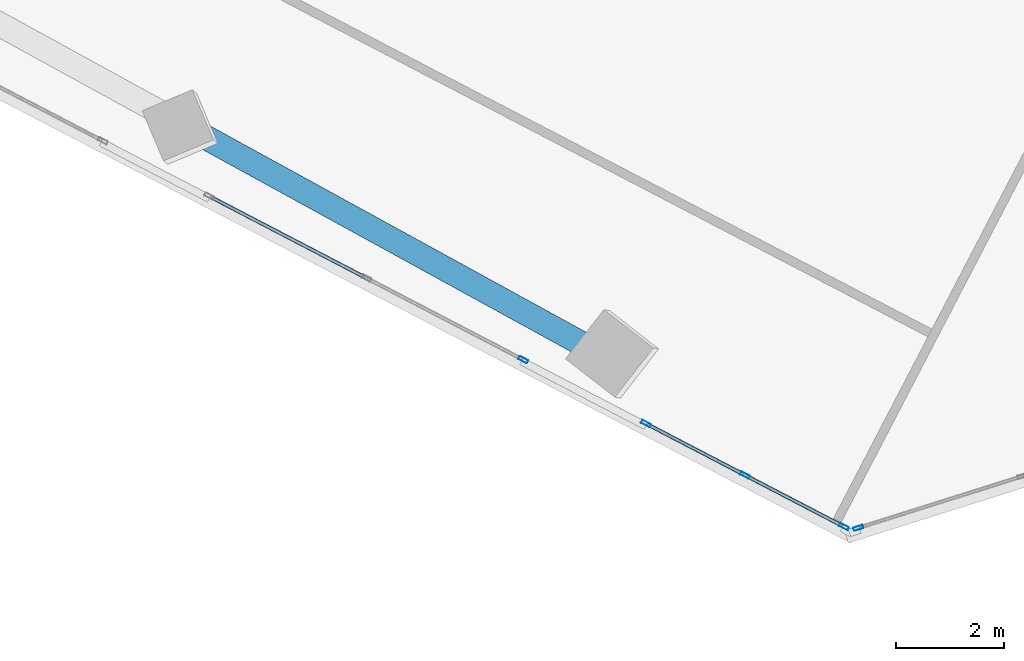
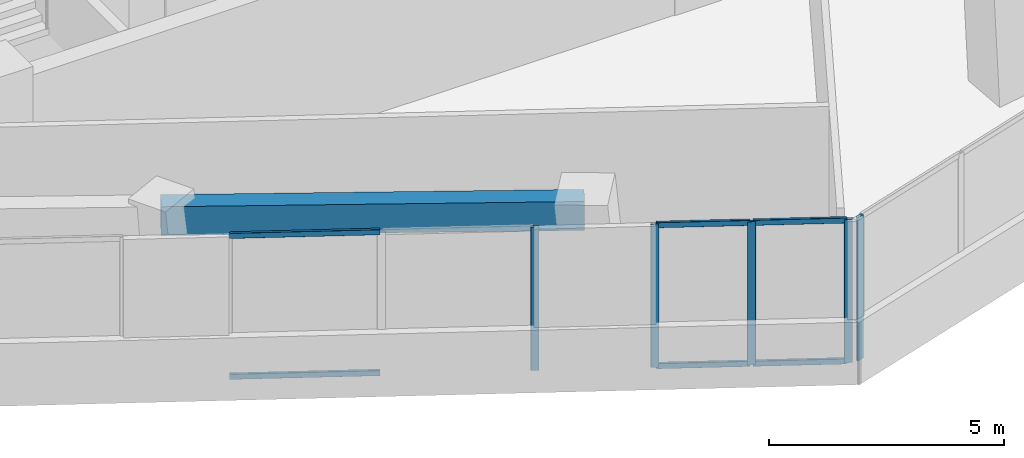
# One storey, part 4 of 22: 11 members, 1 beam, 3 elements without a shape of their own.
"""IFC4 building model written with IfcOpenShell, lengths in metres."""

from ifc_helpers import new_model, si_unit, direction, frame, origin, origin_2d, place, context, subcontext, project, spatial, rectangle, hollow_rectangle, extrude, source, transform, mapped, material, material_profile, profile_set, type_object, element, aggregate, save


model = new_model("IFC4")

# Units and contexts
model_context = context("Model", 3, precision=1e-05, world=origin(), true_north=direction((0.0, 1.0)))
body_context = subcontext(model_context, "Body", "Model", "MODEL_VIEW")
ifc_project = project(units=[si_unit("LENGTHUNIT", "METRE"), si_unit("AREAUNIT", "SQUARE_METRE"), si_unit("VOLUMEUNIT", "CUBIC_METRE"), si_unit("PLANEANGLEUNIT", "RADIAN"), si_unit("MASSUNIT", "GRAM", prefix="KILO")], contexts=[model_context])

# Site, building, storey
site_placement = place(None, origin())
site = spatial("IfcSite", under=ifc_project, at=site_placement, CompositionType="ELEMENT")
building_placement = place(site_placement, origin())
building = spatial("IfcBuilding", under=site, at=building_placement, Name="Torre Montelarca", CompositionType="ELEMENT")
storey_placement = place(building_placement, frame((0.0, 0.0, 170.800048828125)))
storey = spatial("IfcBuildingStorey", under=building, at=storey_placement, Name="L38", CompositionType="ELEMENT", Elevation=170.800048828125)

# Beam
ifc_material_1 = material(Name="Concrete C55/67", Category="concrete")
ifc_material_profile_1 = material_profile(ifc_material_1, rectangle(XDim=0.449951171875, YDim=0.75, at=origin_2d()), Name="RCB450X750", Category="concrete")
ifc_profile_set_1 = profile_set([ifc_material_profile_1], Name="Concrete C55/67")
beam_type = type_object("IfcBeamType", Name="BM-SP-RC750-EXT", PredefinedType="SPANDREL", material=ifc_profile_set_1)
shared_shape_1 = source(origin(), body_context, "Body", "SweptSolid", [
    extrude(rectangle(XDim=0.449951171875, YDim=0.75, at=origin_2d()), origin(), (0.0, 0.0, 1.0), 9.0),
])
beam_placement = place(storey_placement, frame((10.158447265625, 18.603759765625, 3.5849609375), z_axis=(0.876730864436, -0.48098127962, 0.0), x_axis=(0.48098127962, 0.876730864436, 0.0)))
element("IfcBeam", 1, at=beam_placement, inside=storey, type_object=beam_type, Name="L38 Grid Girder X 18.0-27.0 at Y=14.8", PredefinedType="SPANDREL", context=body_context, shape_type="MappedRepresentation", body=[
    mapped(shared_shape_1, transform((0.0, 0.0, 0.0), scale=1.0)),
])

# Curtain wall, member
ifc_material_2 = material(Name="Insulated low-E laminated glass", Category="glass")
curtain_wall_type = type_object("IfcCurtainWallType", Name="CW-SYS-Z2", PredefinedType="USERDEFINED", material=ifc_material_2)
curtain_wall_1_placement = place(storey_placement, origin())
curtain_wall_1 = element("IfcCurtainWall", 2, at=curtain_wall_1_placement, inside=storey, type_object=curtain_wall_type, Name="L38 Curtain Wall Run CW-T3-L38-E01-B2", ObjectType="UNITISED GLAZING", PredefinedType="USERDEFINED")
ifc_material_3 = material(Name="Anodised aluminium AA 6063-T6", Category="aluminium")
ifc_material_profile_2 = material_profile(ifc_material_3, hollow_rectangle(XDim=0.06494140625, YDim=0.179931640625, WallThickness=0.00390625, InnerFilletRadius=0.00390625, OuterFilletRadius=0.008056640625, at=origin_2d()), Name="ALU65X180X4", Category="aluminium")
ifc_profile_set_2 = profile_set([ifc_material_profile_2], Name="Anodised aluminium AA 6063-T6")
member_type_1 = type_object("IfcMemberType", Name="CWM-ALU180", PredefinedType="MULLION", material=ifc_profile_set_2)
shared_shape_2 = source(origin(), body_context, "Body", "SweptSolid", [
    extrude(hollow_rectangle(XDim=0.06494140625, YDim=0.179931640625, WallThickness=0.00390625, InnerFilletRadius=0.00390625, OuterFilletRadius=0.008056640625, at=origin_2d()), origin(), (0.0, 0.0, 1.0), 3.719970703125),
])
member_1_placement = place(storey_placement, frame((16.736083984375, 14.108154296875, 0.0), z_axis=(0.0, 0.0, 1.0), x_axis=(0.461749348455, 0.887010450446, 0.0)))
member_1 = element("IfcMember", 3, at=member_1_placement, type_object=member_type_1, Name="CW mullion 3", PredefinedType="MULLION", context=body_context, shape_type="MappedRepresentation", body=[
    mapped(shared_shape_2, transform((0.0, 0.0, 0.0), scale=1.0)),
])

# Curtain wall, members
curtain_wall_2_placement = place(storey_placement, origin())
curtain_wall_2 = element("IfcCurtainWall", 4, at=curtain_wall_2_placement, inside=storey, type_object=curtain_wall_type, Name="L38 Curtain Wall Run CW-T3-L38-E01-B3", ObjectType="UNITISED GLAZING", PredefinedType="USERDEFINED")
member_2_placement = place(storey_placement, frame((18.99951171875, 12.929931640625, 0.0), z_axis=(0.0, 0.0, 1.0), x_axis=(0.461740695528, 0.887014954831, 0.0)))
member_2 = element("IfcMember", 5, at=member_2_placement, type_object=member_type_1, Name="CW mullion 1", PredefinedType="MULLION", context=body_context, shape_type="MappedRepresentation", body=[
    mapped(shared_shape_2, transform((0.0, 0.0, 0.0), scale=1.0)),
])
member_3_placement = place(storey_placement, frame((20.82421875, 11.97998046875, 0.0), z_axis=(0.0, 0.0, 1.0), x_axis=(0.461740695528, 0.887014954831, 0.0)))
member_3 = element("IfcMember", 6, at=member_3_placement, type_object=member_type_1, Name="CW mullion 2", PredefinedType="MULLION", context=body_context, shape_type="MappedRepresentation", body=[
    mapped(shared_shape_2, transform((0.0, 0.0, 0.0), scale=1.0)),
])
member_4_placement = place(storey_placement, frame((22.648681640625, 11.0302734375, 0.0), z_axis=(0.0, 0.0, 1.0), x_axis=(0.461740695528, 0.887014954831, 0.0)))
member_4 = element("IfcMember", 7, at=member_4_placement, type_object=member_type_1, Name="CW mullion 3", PredefinedType="MULLION", context=body_context, shape_type="MappedRepresentation", body=[
    mapped(shared_shape_2, transform((0.0, 0.0, 0.0), scale=1.0)),
])

# Curtain wall, member
curtain_wall_3_placement = place(storey_placement, origin())
curtain_wall_3 = element("IfcCurtainWall", 8, at=curtain_wall_3_placement, inside=storey, type_object=curtain_wall_type, Name="L38 Curtain Wall Run CW-T3-L38-E02-B1", ObjectType="UNITISED GLAZING", PredefinedType="USERDEFINED")
member_5_placement = place(storey_placement, frame((22.914794921875, 11.007080078125, 0.0), z_axis=(0.0, 0.0, 1.0), x_axis=(-0.300702850836, 0.953717880455, 0.0)))
member_5 = element("IfcMember", 9, at=member_5_placement, type_object=member_type_1, Name="CW mullion 1", PredefinedType="MULLION", context=body_context, shape_type="MappedRepresentation", body=[
    mapped(shared_shape_2, transform((0.0, 0.0, 0.0), scale=1.0)),
])
aggregate(curtain_wall_3, [member_5])

# Member
ifc_material_profile_3 = material_profile(ifc_material_3, hollow_rectangle(XDim=0.06494140625, YDim=0.139892578125, WallThickness=0.00390625, InnerFilletRadius=0.00390625, OuterFilletRadius=0.008056640625, at=origin_2d()), Name="ALU65X140X4", Category="aluminium")
ifc_profile_set_3 = profile_set([ifc_material_profile_3], Name="Anodised aluminium AA 6063-T6")
member_type_2 = type_object("IfcMemberType", Name="CWT-ALU140", PredefinedType="USERDEFINED", material=ifc_profile_set_3)
shared_shape_3 = source(origin(), body_context, "Body", "SweptSolid", [
    extrude(hollow_rectangle(XDim=0.06494140625, YDim=0.139892578125, WallThickness=0.00390625, InnerFilletRadius=0.00390625, OuterFilletRadius=0.008056640625, at=origin_2d()), origin(), (0.0, 0.0, 1.0), 1.991943359375),
])
member_6_placement = place(storey_placement, frame((19.0283203125, 12.914794921875, 0.032470703125), z_axis=(0.887028088932, -0.461715463729, 0.0), x_axis=(0.461715463729, 0.887028088932, 0.0)))
member_6 = element("IfcMember", 10, at=member_6_placement, type_object=member_type_2, Name="CW transom 1.1", ObjectType="TRANSOM", PredefinedType="USERDEFINED", context=body_context, shape_type="MappedRepresentation", body=[
    mapped(shared_shape_3, transform((0.0, 0.0, 0.0), scale=1.0)),
])

member_7_placement = place(storey_placement, frame((19.0283203125, 12.914794921875, 3.6875), z_axis=(0.887028088932, -0.461715463729, 0.0), x_axis=(0.461715463729, 0.887028088932, 0.0)))
member_7 = element("IfcMember", 11, at=member_7_placement, type_object=member_type_2, Name="CW transom 1.2", ObjectType="TRANSOM", PredefinedType="USERDEFINED", context=body_context, shape_type="MappedRepresentation", body=[
    mapped(shared_shape_3, transform((0.0, 0.0, 0.0), scale=1.0)),
])

member_8_placement = place(storey_placement, frame((20.85302734375, 11.965087890625, 0.032470703125), z_axis=(0.886977888048, -0.46181189473, 0.0), x_axis=(0.46181189473, 0.886977888048, 0.0)))
member_8 = element("IfcMember", 12, at=member_8_placement, type_object=member_type_2, Name="CW transom 2.1", ObjectType="TRANSOM", PredefinedType="USERDEFINED", context=body_context, shape_type="MappedRepresentation", body=[
    mapped(shared_shape_3, transform((0.0, 0.0, 0.0), scale=1.0)),
])

member_9_placement = place(storey_placement, frame((20.85302734375, 11.965087890625, 3.6875), z_axis=(0.886977888048, -0.46181189473, 0.0), x_axis=(0.46181189473, 0.886977888048, 0.0)))
member_9 = element("IfcMember", 13, at=member_9_placement, type_object=member_type_2, Name="CW transom 2.2", ObjectType="TRANSOM", PredefinedType="USERDEFINED", context=body_context, shape_type="MappedRepresentation", body=[
    mapped(shared_shape_3, transform((0.0, 0.0, 0.0), scale=1.0)),
])

aggregate(curtain_wall_2, [member_2, member_3, member_4, member_6, member_7, member_8, member_9])

shared_shape_4 = source(origin(), body_context, "Body", "SweptSolid", [
    extrude(hollow_rectangle(XDim=0.06494140625, YDim=0.139892578125, WallThickness=0.00390625, InnerFilletRadius=0.00390625, OuterFilletRadius=0.008056640625, at=origin_2d()), origin(), (0.0, 0.0, 1.0), 3.196533203125),
])
member_10_placement = place(storey_placement, frame((10.978759765625, 17.105224609375, 0.032470703125), z_axis=(0.887006632899, -0.461756681807, 0.0), x_axis=(0.461756681807, 0.887006632899, 0.0)))
member_10 = element("IfcMember", 14, at=member_10_placement, type_object=member_type_2, Name="CW transom 1.1", ObjectType="TRANSOM", PredefinedType="USERDEFINED", context=body_context, shape_type="MappedRepresentation", body=[
    mapped(shared_shape_4, transform((0.0, 0.0, 0.0), scale=1.0)),
])

member_11_placement = place(storey_placement, frame((10.978759765625, 17.105224609375, 3.6875), z_axis=(0.887006632899, -0.461756681807, 0.0), x_axis=(0.461756681807, 0.887006632899, 0.0)))
member_11 = element("IfcMember", 15, at=member_11_placement, type_object=member_type_2, Name="CW transom 1.2", ObjectType="TRANSOM", PredefinedType="USERDEFINED", context=body_context, shape_type="MappedRepresentation", body=[
    mapped(shared_shape_4, transform((0.0, 0.0, 0.0), scale=1.0)),
])

aggregate(curtain_wall_1, [member_1, member_10, member_11])

save(model, "model.ifc")
